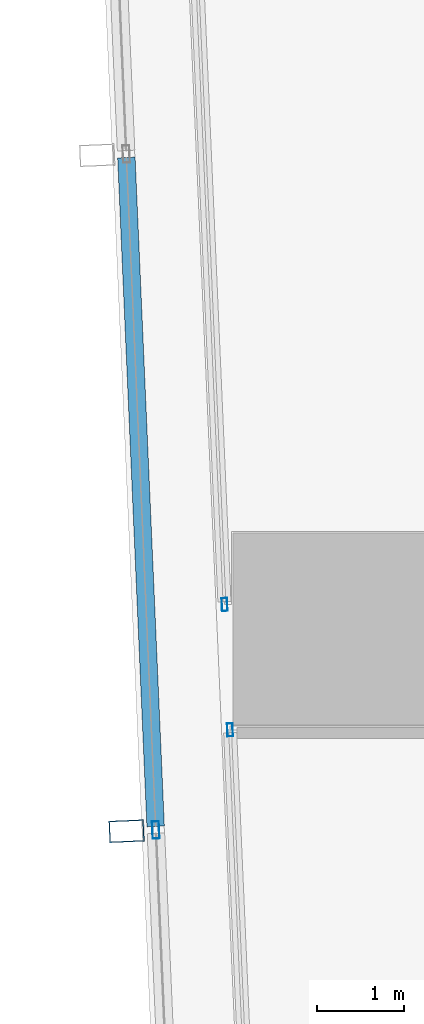
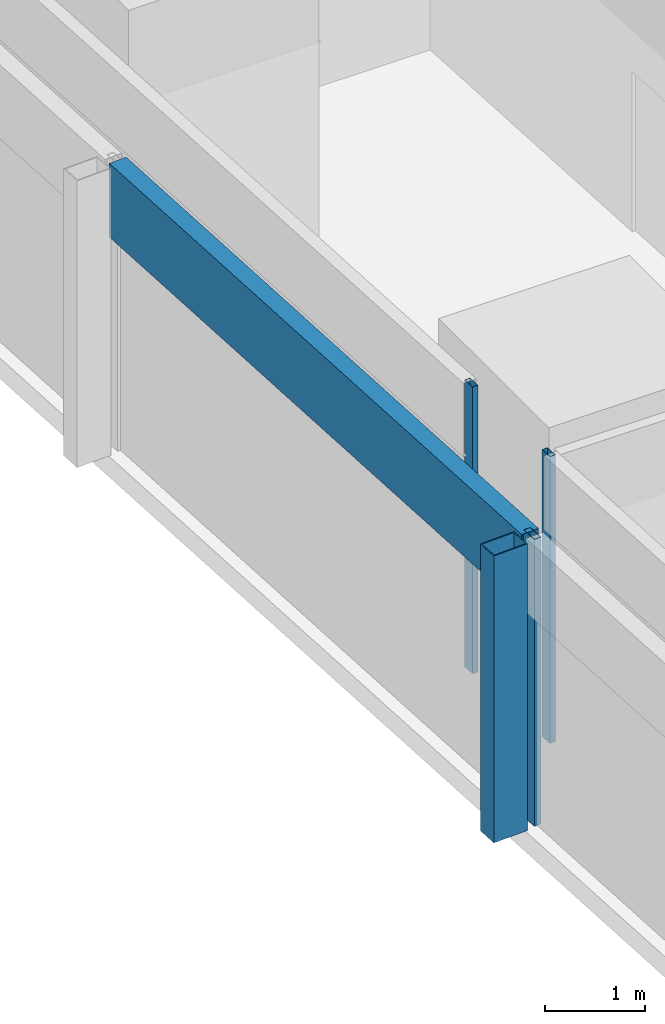
# One storey, part 4 of 44: 5 members, 3 elements without a shape of their own.
"""IFC4 building model written with IfcOpenShell, lengths in metres."""

from ifc_helpers import new_model, si_unit, direction, frame, origin, origin_2d, place, context, subcontext, project, spatial, hollow_rectangle, extrude, material, material_profile, profile_set, type_object, element, aggregate, save


model = new_model("IFC4")

# Units and contexts
model_context = context("Model", 3, precision=1e-05, world=origin(), true_north=direction((0.0, 1.0)))
body_context = subcontext(model_context, "Body", "Model", "MODEL_VIEW")
ifc_project = project(units=[si_unit("LENGTHUNIT", "METRE"), si_unit("AREAUNIT", "SQUARE_METRE"), si_unit("VOLUMEUNIT", "CUBIC_METRE"), si_unit("PLANEANGLEUNIT", "RADIAN"), si_unit("MASSUNIT", "GRAM", prefix="KILO")], contexts=[model_context])

# Site, building, storey
site_placement = place(None, origin())
site = spatial("IfcSite", under=ifc_project, at=site_placement, CompositionType="ELEMENT")
building_placement = place(site_placement, origin())
building = spatial("IfcBuilding", under=site, at=building_placement, Name="Rekha Terrace Tower", CompositionType="ELEMENT")
storey_placement = place(building_placement, frame((0.0, 0.0, 66.64990234375)))
storey = spatial("IfcBuildingStorey", under=building, at=storey_placement, Name="L16", CompositionType="ELEMENT", Elevation=66.64990234375)

# Curtain wall, member
ifc_material_1 = material(Name="Aluminium framing", Category="aluminium")
curtain_wall_type_1 = type_object("IfcCurtainWallType", Name="CW2 double skin outer glazing", PredefinedType="USERDEFINED", material=ifc_material_1)
curtain_wall_1_placement = place(storey_placement, origin())
curtain_wall_1 = element("IfcCurtainWall", 1, at=curtain_wall_1_placement, inside=storey, type_object=curtain_wall_type_1, Name="CW2 double skin outer glazing", ObjectType="DOUBLE SKIN OUTER GLAZING", PredefinedType="USERDEFINED")
ifc_material_2 = material(Name="Steel S355 with fluorocarbon finish", Category="steel")
ifc_material_profile_1 = material_profile(ifc_material_2, hollow_rectangle(XDim=0.25, YDim=0.39990234375, WallThickness=0.012451171875, at=origin_2d()), Name="RHS400x250x12.5")
ifc_profile_set_1 = profile_set([ifc_material_profile_1], Name="Steel S355 with fluorocarbon finish")
member_type_1 = type_object("IfcMemberType", Name="BL1 facade blade RHS 400 x 250", PredefinedType="USERDEFINED", material=ifc_profile_set_1)
member_1_placement = place(storey_placement, frame((6.080078125, 14.482421875, 0.0), z_axis=(0.0, 0.0, 1.0), x_axis=(0.04368215933, -0.999045478923, 0.0)))
member_1 = element("IfcMember", 2, at=member_1_placement, type_object=member_type_1, Name="Facade blade", ObjectType="FACADE BLADE", PredefinedType="USERDEFINED", context=body_context, shape_type="SweptSolid", body=[
    extrude(hollow_rectangle(XDim=0.25, YDim=0.39990234375, WallThickness=0.012451171875, at=origin_2d()), origin(), (0.0, 0.0, 1.0), 3.5),
])

curtain_wall_type_2 = type_object("IfcCurtainWallType", Name="CW1 double skin inner glazing", PredefinedType="USERDEFINED", material=ifc_material_1)
curtain_wall_2_placement = place(storey_placement, origin())
curtain_wall_2 = element("IfcCurtainWall", 3, at=curtain_wall_2_placement, inside=storey, type_object=curtain_wall_type_2, Name="CW1 double skin inner glazing", ObjectType="DOUBLE SKIN INNER GLAZING", PredefinedType="USERDEFINED")
ifc_material_3 = material(Name="Aluminium mullion section", Category="aluminium")
ifc_material_profile_2 = material_profile(ifc_material_3, hollow_rectangle(XDim=0.06494140625, YDim=0.14990234375, WallThickness=0.00390625, at=origin_2d()), Name="AL RHS 65x150")
ifc_profile_set_2 = profile_set([ifc_material_profile_2], Name="Aluminium mullion section")
member_type_2 = type_object("IfcMemberType", Name="CW1 mullion RHS 65 x 150", PredefinedType="MULLION", material=ifc_profile_set_2)
member_2_placement = place(storey_placement, frame((7.202880859375, 17.07958984375, 0.0), z_axis=(0.0, 0.0, 1.0), x_axis=(0.999045462133, 0.043682543337, 0.0)))
member_2 = element("IfcMember", 4, at=member_2_placement, type_object=member_type_2, Name="CW1 mullion 4", PredefinedType="MULLION", context=body_context, shape_type="SweptSolid", body=[
    extrude(hollow_rectangle(XDim=0.06494140625, YDim=0.14990234375, WallThickness=0.00390625, at=origin_2d()), origin(), (0.0, 0.0, 1.0), 3.5),
])
aggregate(curtain_wall_2, [member_2])

curtain_wall_3_placement = place(storey_placement, origin())
curtain_wall_3 = element("IfcCurtainWall", 5, at=curtain_wall_3_placement, inside=storey, type_object=curtain_wall_type_2, Name="CW1 double skin inner glazing", ObjectType="DOUBLE SKIN INNER GLAZING", PredefinedType="USERDEFINED")
member_3_placement = place(storey_placement, frame((7.265625, 15.643310546875, 0.0), z_axis=(0.0, 0.0, 1.0), x_axis=(0.999045462129, 0.043682543424, 0.0)))
member_3 = element("IfcMember", 6, at=member_3_placement, type_object=member_type_2, Name="CW1 mullion 1", PredefinedType="MULLION", context=body_context, shape_type="SweptSolid", body=[
    extrude(hollow_rectangle(XDim=0.06494140625, YDim=0.14990234375, WallThickness=0.00390625, at=origin_2d()), origin(), (0.0, 0.0, 1.0), 3.5),
])
aggregate(curtain_wall_3, [member_3])

# Member
ifc_material_profile_3 = material_profile(ifc_material_3, hollow_rectangle(XDim=0.080078125, YDim=0.199951171875, WallThickness=0.00390625, at=origin_2d()), Name="AL RHS 80x200")
ifc_profile_set_3 = profile_set([ifc_material_profile_3], Name="Aluminium mullion section")
member_type_3 = type_object("IfcMemberType", Name="CW2 mullion RHS 80 x 200", PredefinedType="MULLION", material=ifc_profile_set_3)
member_4_placement = place(storey_placement, frame((6.414794921875, 14.4970703125, 0.0), z_axis=(0.0, 0.0, 1.0), x_axis=(0.999045462131, 0.043682543372, 0.0)))
member_4 = element("IfcMember", 7, at=member_4_placement, type_object=member_type_3, Name="CW2 mullion 5", PredefinedType="MULLION", context=body_context, shape_type="SweptSolid", body=[
    extrude(hollow_rectangle(XDim=0.080078125, YDim=0.199951171875, WallThickness=0.00390625, at=origin_2d()), origin(), (0.0, 0.0, 1.0), 3.5),
])

ifc_material_4 = material(Name="Insulated aluminium spandrel box", Category="aluminium")
ifc_material_profile_4 = material_profile(ifc_material_4, hollow_rectangle(XDim=0.199951171875, YDim=0.89990234375, WallThickness=0.0029296875, at=origin_2d()), Name="AL SPANDREL BOX 200x900")
ifc_profile_set_4 = profile_set([ifc_material_profile_4], Name="Insulated aluminium spandrel box")
member_type_4 = type_object("IfcMemberType", Name="CW2 spandrel transom 200 x 900", PredefinedType="USERDEFINED", material=ifc_profile_set_4)
member_5_placement = place(storey_placement, frame((6.077880859375, 22.201416015625, 3.050048828125), z_axis=(0.043694095051, -0.999044956975, 0.0), x_axis=(0.999044956975, 0.043694095051, 0.0)))
member_5 = element("IfcMember", 8, at=member_5_placement, type_object=member_type_4, Name="CW2 spandrel transom 4", ObjectType="TRANSOM", PredefinedType="USERDEFINED", context=body_context, shape_type="SweptSolid", body=[
    extrude(hollow_rectangle(XDim=0.199951171875, YDim=0.89990234375, WallThickness=0.0029296875, at=origin_2d()), origin(), (0.0, 0.0, 1.0), 7.671630859375),
])

aggregate(curtain_wall_1, [member_4, member_5, member_1])

save(model, "model.ifc")
